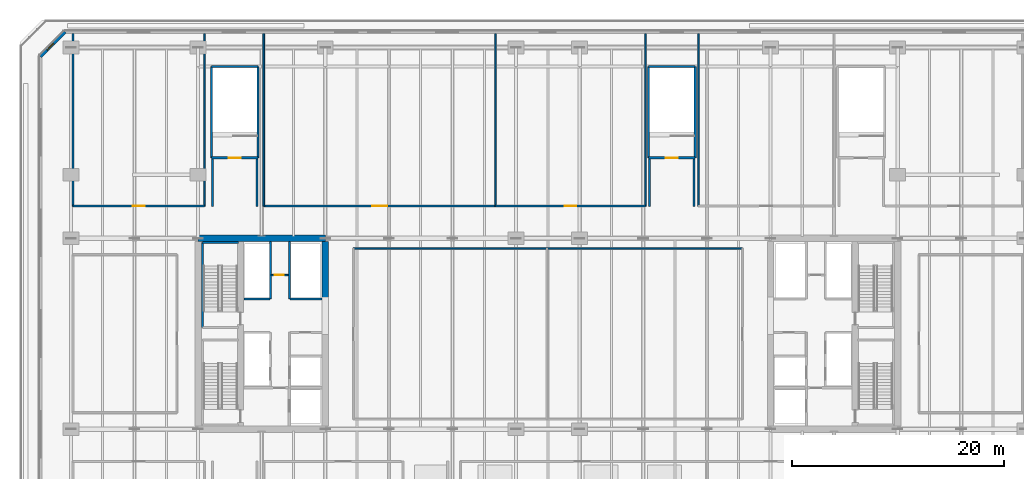
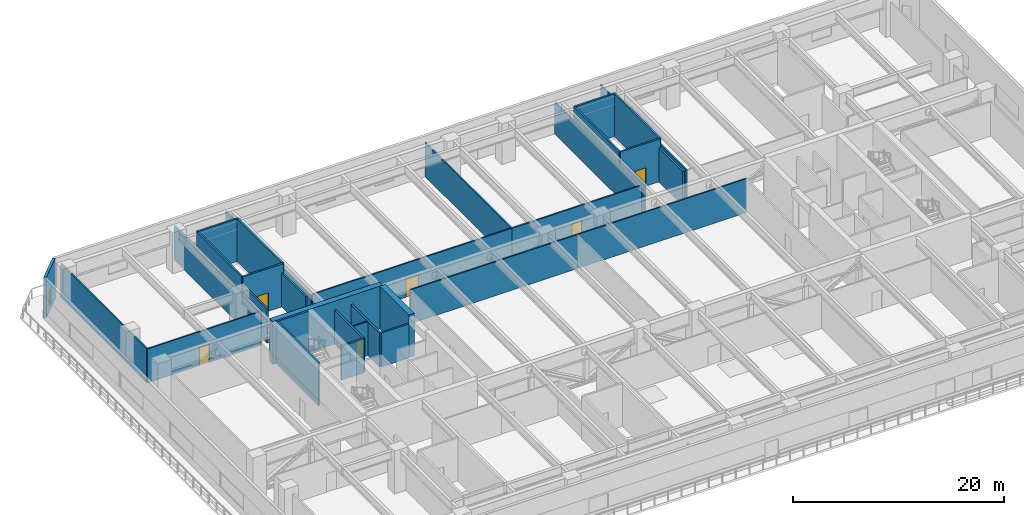
# One storey, part 12 of 25: 33 walls, 6 doors, 1 window, 7 openings.
"""IFC4 building model written with IfcOpenShell, lengths in metres."""

from ifc_helpers import new_model, si_unit, direction, frame, frame_2d, origin, place, context, subcontext, project, spatial, rectangle, extrude, material, layer, layer_set, type_object, element, fill, save


model = new_model("IFC4")

# Units and contexts
model_context = context("Model", 3, precision=1e-05, world=origin(), true_north=direction((0.0, 1.0)))
body_context = subcontext(model_context, "Body", "Model", "MODEL_VIEW")
ifc_project = project(units=[si_unit("LENGTHUNIT", "METRE"), si_unit("AREAUNIT", "SQUARE_METRE"), si_unit("VOLUMEUNIT", "CUBIC_METRE"), si_unit("PLANEANGLEUNIT", "RADIAN"), si_unit("MASSUNIT", "GRAM", prefix="KILO")], contexts=[model_context])

# Site, building, storey
site_placement = place(None, origin())
site = spatial("IfcSite", under=ifc_project, at=site_placement, CompositionType="ELEMENT")
building_placement = place(site_placement, origin())
building = spatial("IfcBuilding", under=site, at=building_placement, Name="Tanjung Sevakor Pilgrim Tower", CompositionType="ELEMENT")
storey_placement = place(building_placement, frame((0.0, 0.0, 24.090087890625)))
storey = spatial("IfcBuildingStorey", under=building, at=storey_placement, Name="L06", CompositionType="ELEMENT", Elevation=24.090087890625)

# Walls
ifc_material_1 = material(Name="Concrete C60/75", Category="concrete")
ifc_layer_1 = layer(ifc_material_1, 0.60009765625)
ifc_layer_set_1 = layer_set([ifc_layer_1], Name="WALL-CW-600")
wall_type_1 = type_object("IfcWallType", Name="WALL-CW-600", PredefinedType="SHEAR", material=ifc_layer_set_1)
wall_1_placement = place(storey_placement, frame((36.0, 42.60009765625, 0.0), z_axis=(0.0, 0.0, 1.0), x_axis=(-1.0, 0.0, 0.0)))
element("IfcWall", 1, at=wall_1_placement, inside=storey, type_object=wall_type_1, Name="L06 W Core North Shear Wall", PredefinedType="SHEAR", context=body_context, shape_type="SweptSolid", body=[
    extrude(rectangle(XDim=12.0, YDim=0.60009765625, at=frame_2d((6.0, 0.0))), origin(), (0.0, 0.0, 1.0), 4.949951171875),
])
wall_2_placement = place(storey_placement, frame((36.0, 36.800048828125, 0.0), z_axis=(0.0, 0.0, 1.0), x_axis=(0.0, 1.0, 0.0)))
element("IfcWall", 2, at=wall_2_placement, inside=storey, type_object=wall_type_1, Name="L06 W Core Inner Shear Wall North", PredefinedType="SHEAR", context=body_context, shape_type="SweptSolid", body=[
    extrude(rectangle(XDim=5.5, YDim=0.60009765625, at=frame_2d((2.75, 0.0))), origin(), (0.0, 0.0, 1.0), 4.949951171875),
])

# Wall, opening, door
ifc_material_2 = material(Name="Concrete C40/50", Category="concrete")
ifc_layer_2 = layer(ifc_material_2, 0.14990234375)
ifc_layer_set_2 = layer_set([ifc_layer_2], Name="WT-COMP-150")
wall_type_2 = type_object("IfcWallType", Name="WT-COMP-150", PredefinedType="SOLIDWALL", material=ifc_layer_set_2)
wall_3_placement = place(storey_placement, frame((30.89990234375, 39.1298828125, 0.0), z_axis=(0.0, 0.0, 1.0), x_axis=(1.0, 0.0, 0.0)))
wall_3 = element("IfcWall", 3, at=wall_3_placement, inside=storey, type_object=wall_type_2, Name="L06 Partition IW-L06-003", PredefinedType="SOLIDWALL", context=body_context, shape_type="SweptSolid", body=[
    extrude(rectangle(XDim=1.60009765625, YDim=0.14990234375, at=frame_2d((0.800048828125, 0.0))), origin(), (0.0, 0.0, 1.0), 3.929931640625),
])
opening_1_placement = place(wall_3_placement, frame((0.35009765625, 0.0, 0.0)))
opening_1 = element("IfcOpeningElement", 4, at=opening_1_placement, cuts=wall_3, Name="Opening ID-FD3", PredefinedType="OPENING", context=body_context, shape_type="SweptSolid", body=[
    extrude(rectangle(XDim=0.85009765625, YDim=2.10009765625, at=frame_2d((0.425048828125, 1.050048828125))), frame((0.0, 0.0849609375, 0.0), z_axis=(0.0, -1.0, 0.0), x_axis=(1.0, 0.0, 0.0)), (0.0, 0.0, 1.0), 0.169921875),
])
ifc_material_3 = material(Name="Fire-Rated Timber", Category="wood")
door_type_1 = type_object("IfcDoorType", Name="DT-FIRE-850", OperationType="NOTDEFINED", PredefinedType="DOOR", material=ifc_material_3)
door_1_placement = place(opening_1_placement, origin())
door_1 = element("IfcDoor", 5, at=door_1_placement, inside=storey, type_object=door_type_1, Name="L06 North Core Store Door", OperationType="SINGLE_SWING_RIGHT", OverallHeight=2.10009765625, OverallWidth=0.85009765625, PredefinedType="DOOR", context=body_context, shape_type="SweptSolid", body=[
    extrude(rectangle(XDim=0.85009765625, YDim=2.10009765625, at=frame_2d((0.425048828125, 1.050048828125))), frame((0.0, 0.02490234375, 0.0), z_axis=(0.0, -1.0, 0.0), x_axis=(1.0, 0.0, 0.0)), (0.0, 0.0, 1.0), 0.050048828125),
])
fill(opening_1, door_1)

wall_4_placement = place(storey_placement, frame((30.199951171875, 45.64990234375, 0.0), z_axis=(0.0, 0.0, 1.0), x_axis=(1.0, 0.0, 0.0)))
wall_4 = element("IfcWall", 6, at=wall_4_placement, inside=storey, type_object=wall_type_2, Name="L06 Partition IW-L06-046", PredefinedType="SOLIDWALL", context=body_context, shape_type="SweptSolid", body=[
    extrude(rectangle(XDim=21.85009765625, YDim=0.14990234375, at=frame_2d((10.925048828125, 0.0))), origin(), (0.0, 0.0, 1.0), 3.929931640625),
])
opening_2_placement = place(wall_4_placement, frame((10.22509765625, 0.0, 0.0)))
opening_2 = element("IfcOpeningElement", 7, at=opening_2_placement, cuts=wall_4, Name="Opening ID-HD1", PredefinedType="OPENING", context=body_context, shape_type="SweptSolid", body=[
    extrude(rectangle(XDim=1.39990234375, YDim=2.14990234375, at=frame_2d((0.699951171875, 1.074951171875))), frame((0.0, 0.0849609375, 0.0), z_axis=(0.0, -1.0, 0.0), x_axis=(1.0, 0.0, 0.0)), (0.0, 0.0, 1.0), 0.169921875),
])
ifc_material_4 = material(Name="Hardwood Timber", Category="wood")
door_type_2 = type_object("IfcDoorType", Name="DT-INT-1400", OperationType="DOUBLE_DOOR_SINGLE_SWING", PredefinedType="DOOR", material=ifc_material_4)
door_2_placement = place(opening_2_placement, origin())
door_2 = element("IfcDoor", 8, at=door_2_placement, inside=storey, type_object=door_type_2, Name="L06 Reading Room Door", OperationType="SINGLE_SWING_LEFT", OverallHeight=2.14990234375, OverallWidth=1.39990234375, PredefinedType="DOOR", context=body_context, shape_type="SweptSolid", body=[
    extrude(rectangle(XDim=1.39990234375, YDim=2.14990234375, at=frame_2d((0.699951171875, 1.074951171875))), frame((0.0, 0.02490234375, 0.0), z_axis=(0.0, -1.0, 0.0), x_axis=(1.0, 0.0, 0.0)), (0.0, 0.0, 1.0), 0.050048828125),
])
fill(opening_2, door_2)

# Walls
wall_5_placement = place(storey_placement, frame((30.199951171875, 45.64990234375, 0.0), z_axis=(0.0, 0.0, 1.0), x_axis=(0.0, 1.0, 0.0)))
element("IfcWall", 9, at=wall_5_placement, inside=storey, type_object=wall_type_2, Name="L06 Partition IW-L06-047", PredefinedType="SOLIDWALL", context=body_context, shape_type="SweptSolid", body=[
    extrude(rectangle(XDim=16.27001953125, YDim=0.14990234375, at=frame_2d((8.135009765625, 0.0))), origin(), (0.0, 0.0, 1.0), 3.68701171875),
])
wall_6_placement = place(storey_placement, frame((52.050048828125, 45.64990234375, 0.0), z_axis=(0.0, 0.0, 1.0), x_axis=(0.0, 1.0, 0.0)))
element("IfcWall", 10, at=wall_6_placement, inside=storey, type_object=wall_type_2, Name="L06 Partition IW-L06-048", PredefinedType="SOLIDWALL", context=body_context, shape_type="SweptSolid", body=[
    extrude(rectangle(XDim=16.27001953125, YDim=0.14990234375, at=frame_2d((8.135009765625, 0.0))), origin(), (0.0, 0.0, 1.0), 3.929931640625),
])

# Wall, opening, door
wall_7_placement = place(storey_placement, frame((52.050048828125, 45.64990234375, 0.0), z_axis=(0.0, 0.0, 1.0), x_axis=(1.0, 0.0, 0.0)))
wall_7 = element("IfcWall", 11, at=wall_7_placement, inside=storey, type_object=wall_type_2, Name="L06 Partition IW-L06-049", PredefinedType="SOLIDWALL", context=body_context, shape_type="SweptSolid", body=[
    extrude(rectangle(XDim=14.14990234375, YDim=0.14990234375, at=frame_2d((7.074951171875, 0.0))), origin(), (0.0, 0.0, 1.0), 3.929931640625),
])
opening_3_placement = place(wall_7_placement, frame((6.52490234375, 0.0, 0.0)))
opening_3 = element("IfcOpeningElement", 12, at=opening_3_placement, cuts=wall_7, Name="Opening ID-RM2", PredefinedType="OPENING", context=body_context, shape_type="SweptSolid", body=[
    extrude(rectangle(XDim=1.10009765625, YDim=2.14990234375, at=frame_2d((0.550048828125, 1.074951171875))), frame((0.0, 0.0849609375, 0.0), z_axis=(0.0, -1.0, 0.0), x_axis=(1.0, 0.0, 0.0)), (0.0, 0.0, 1.0), 0.169921875),
])
ifc_material_5 = material(Name="Hardwood Timber", Category="wood")
door_type_3 = type_object("IfcDoorType", Name="DT-INT-1100", OperationType="NOTDEFINED", PredefinedType="DOOR", material=ifc_material_5)
door_3_placement = place(opening_3_placement, origin())
door_3 = element("IfcDoor", 13, at=door_3_placement, inside=storey, type_object=door_type_3, Name="L06 Seminar Door", OperationType="SINGLE_SWING_RIGHT", OverallHeight=2.14990234375, OverallWidth=1.10009765625, PredefinedType="DOOR", context=body_context, shape_type="SweptSolid", body=[
    extrude(rectangle(XDim=1.10009765625, YDim=2.14990234375, at=frame_2d((0.550048828125, 1.074951171875))), frame((0.0, 0.02490234375, 0.0), z_axis=(0.0, -1.0, 0.0), x_axis=(1.0, 0.0, 0.0)), (0.0, 0.0, 1.0), 0.050048828125),
])
fill(opening_3, door_3)

# Walls
wall_8_placement = place(storey_placement, frame((66.199951171875, 45.64990234375, 0.0), z_axis=(0.0, 0.0, 1.0), x_axis=(0.0, 1.0, 0.0)))
element("IfcWall", 14, at=wall_8_placement, inside=storey, type_object=wall_type_2, Name="L06 Partition IW-L06-050", PredefinedType="SOLIDWALL", context=body_context, shape_type="SweptSolid", body=[
    extrude(rectangle(XDim=16.27001953125, YDim=0.14990234375, at=frame_2d((8.135009765625, 0.0))), origin(), (0.0, 0.0, 1.0), 3.68701171875),
])
wall_9_placement = place(storey_placement, frame((71.199951171875, 45.64990234375, 0.0), z_axis=(0.0, 0.0, 1.0), x_axis=(0.0, 1.0, 0.0)))
element("IfcWall", 15, at=wall_9_placement, inside=storey, type_object=wall_type_2, Name="L06 Partition IW-L06-052", PredefinedType="SOLIDWALL", context=body_context, shape_type="SweptSolid", body=[
    extrude(rectangle(XDim=16.27001953125, YDim=0.14990234375, at=frame_2d((8.135009765625, 0.0))), origin(), (0.0, 0.0, 1.0), 3.929931640625),
])
wall_10_placement = place(storey_placement, frame((38.64990234375, 41.64990234375, 0.0), z_axis=(0.0, 0.0, 1.0), x_axis=(1.0, 0.0, 0.0)))
element("IfcWall", 16, at=wall_10_placement, inside=storey, type_object=wall_type_2, Name="L06 Partition IW-L06-055", PredefinedType="SOLIDWALL", context=body_context, shape_type="SweptSolid", body=[
    extrude(rectangle(XDim=18.25, YDim=0.14990234375, at=frame_2d((9.125, 0.0))), origin(), (0.0, 0.0, 1.0), 3.929931640625),
])
wall_11_placement = place(storey_placement, frame((56.89990234375, 41.64990234375, 0.0), z_axis=(0.0, 0.0, 1.0), x_axis=(1.0, 0.0, 0.0)))
element("IfcWall", 17, at=wall_11_placement, inside=storey, type_object=wall_type_2, Name="L06 Partition IW-L06-059", PredefinedType="SOLIDWALL", context=body_context, shape_type="SweptSolid", body=[
    extrude(rectangle(XDim=18.4501953125, YDim=0.14990234375, at=frame_2d((9.22509765625, 0.0))), origin(), (0.0, 0.0, 1.0), 3.929931640625),
])

# Wall, opening, door
wall_12_placement = place(storey_placement, frame((12.199951171875, 45.64990234375, 0.0), z_axis=(0.0, 0.0, 1.0), x_axis=(1.0, 0.0, 0.0)))
wall_12 = element("IfcWall", 18, at=wall_12_placement, inside=storey, type_object=wall_type_2, Name="L06 Partition IW-L06-074", PredefinedType="SOLIDWALL", context=body_context, shape_type="SweptSolid", body=[
    extrude(rectangle(XDim=12.400146484375, YDim=0.14990234375, at=frame_2d((6.2001953125, 0.0))), origin(), (0.0, 0.0, 1.0), 3.929931640625),
])
opening_4_placement = place(wall_12_placement, frame((5.64990234375, 0.0, 0.0)))
opening_4 = element("IfcOpeningElement", 19, at=opening_4_placement, cuts=wall_12, Name="Opening ID-RM2", PredefinedType="OPENING", context=body_context, shape_type="SweptSolid", body=[
    extrude(rectangle(XDim=1.10009765625, YDim=2.14990234375, at=frame_2d((0.550048828125, 1.074951171875))), frame((0.0, 0.0849609375, 0.0), z_axis=(0.0, -1.0, 0.0), x_axis=(1.0, 0.0, 0.0)), (0.0, 0.0, 1.0), 0.169921875),
])
door_4_placement = place(opening_4_placement, origin())
door_4 = element("IfcDoor", 20, at=door_4_placement, inside=storey, type_object=door_type_3, Name="L06 NW Suite Door", OperationType="SINGLE_SWING_RIGHT", OverallHeight=2.14990234375, OverallWidth=1.10009765625, PredefinedType="DOOR", context=body_context, shape_type="SweptSolid", body=[
    extrude(rectangle(XDim=1.10009765625, YDim=2.14990234375, at=frame_2d((0.550048828125, 1.074951171875))), frame((0.0, 0.02490234375, 0.0), z_axis=(0.0, -1.0, 0.0), x_axis=(1.0, 0.0, 0.0)), (0.0, 0.0, 1.0), 0.050048828125),
])
fill(opening_4, door_4)

# Walls
for number, where, z_axis, x_axis, name in (
    (21, (12.199951171875, 45.64990234375, 0.0), (0.0, 0.0, 1.0), (0.0, 1.0, 0.0), "L06 Partition IW-L06-075"),
    (22, (24.60009765625, 45.64990234375, 0.0), (0.0, 0.0, 1.0), (0.0, 1.0, 0.0), "L06 Partition IW-L06-076"),
):
    element("IfcWall", number, at=place(storey_placement, frame(where, z_axis=z_axis, x_axis=x_axis)), inside=storey, type_object=wall_type_2, Name=name, PredefinedType="SOLIDWALL", context=body_context, shape_type="SweptSolid", body=[
        extrude(rectangle(XDim=16.27001953125, YDim=0.14990234375, at=frame_2d((8.135009765625, 0.0))), origin(), (0.0, 0.0, 1.0), 3.929931640625),
    ])

# Wall, opening, window
ifc_material_6 = material(Name="Precast concrete C45/55", Category="concrete")
ifc_layer_3 = layer(ifc_material_6, 0.280029296875)
ifc_layer_set_3 = layer_set([ifc_layer_3], Name="WT-EW-STN2")
wall_type_3 = type_object("IfcWallType", Name="WT-EW-STN2", PredefinedType="SOLIDWALL", material=ifc_layer_set_3)
wall_13_placement = place(storey_placement, frame((11.4580078125, 62.06005859375, 0.0), z_axis=(0.0, 0.0, 1.0), x_axis=(-0.707106781187, -0.707106781187, 0.0)))
wall_13 = element("IfcWall", 23, at=wall_13_placement, inside=storey, type_object=wall_type_3, Name="L06 MAIN Exterior Wall 6", PredefinedType="SOLIDWALL", context=body_context, shape_type="SweptSolid", body=[
    extrude(rectangle(XDim=3.2783203125, YDim=0.280029296875, at=frame_2d((1.63916015625, 0.0))), origin(), (0.0, 0.0, 1.0), 4.7099609375),
])
opening_5_placement = place(wall_13_placement, frame((1.5341796875, 0.0, 0.780029296875)))
opening_5 = element("IfcOpeningElement", 24, at=opening_5_placement, cuts=wall_13, Name="Opening WN-SLM", PredefinedType="OPENING", context=body_context, shape_type="SweptSolid", body=[
    extrude(rectangle(XDim=0.85009765625, YDim=1.64990234375, at=frame_2d((0.425048828125, 0.824951171875))), frame((0.0, 0.14990234375, 0.0), z_axis=(0.0, -1.0, 0.0), x_axis=(1.0, 0.0, 0.0)), (0.0, 0.0, 1.0), 0.300048828125),
])
ifc_material_7 = material(Name="Thermally Broken Aluminium and Low-E Glass", Category="aluminium")
window_type = type_object("IfcWindowType", Name="WTYP-WN-SLM", PartitioningType="SINGLE_PANEL", PredefinedType="WINDOW", material=ifc_material_7)
window_placement = place(opening_5_placement, origin())
window = element("IfcWindow", 25, at=window_placement, inside=storey, type_object=window_type, Name="L06 Facade Window 01", OverallHeight=1.64990234375, OverallWidth=0.85009765625, PartitioningType="SINGLE_PANEL", PredefinedType="WINDOW", context=body_context, shape_type="SweptSolid", body=[
    extrude(rectangle(XDim=0.85009765625, YDim=1.64990234375, at=frame_2d((0.425048828125, 0.824951171875))), frame((0.0, 0.030029296875, 0.0), z_axis=(0.0, -1.0, 0.0), x_axis=(1.0, 0.0, 0.0)), (0.0, 0.0, 1.0), 0.06005859375),
])
fill(opening_5, window)

# Walls
ifc_material_8 = material(Name="Concrete C40/50", Category="concrete")
ifc_layer_4 = layer(ifc_material_8, 0.199951171875)
ifc_layer_set_4 = layer_set([ifc_layer_4], Name="WT-FIRE-200")
wall_type_4 = type_object("IfcWallType", Name="WT-FIRE-200", PredefinedType="SOLIDWALL", material=ifc_layer_set_4)
wall_14_placement = place(storey_placement, frame((27.800048828125, 42.199951171875, 0.0), z_axis=(0.0, 0.0, 1.0), x_axis=(-1.0, 0.0, 0.0)))
element("IfcWall", 26, at=wall_14_placement, inside=storey, type_object=wall_type_4, Name="L06 TS-W2 Shaft Wall 2", PredefinedType="SOLIDWALL", context=body_context, shape_type="SweptSolid", body=[
    extrude(rectangle(XDim=3.400146484375, YDim=0.199951171875, at=frame_2d((1.7001953125, 0.0))), origin(), (0.0, 0.0, 1.0), 4.949951171875),
])
wall_15_placement = place(storey_placement, frame((24.39990234375, 42.199951171875, 0.0), z_axis=(0.0, 0.0, 1.0), x_axis=(0.0, -1.0, 0.0)))
element("IfcWall", 27, at=wall_15_placement, inside=storey, type_object=wall_type_4, Name="L06 TS-W2 Shaft Wall 3", PredefinedType="SOLIDWALL", context=body_context, shape_type="SweptSolid", body=[
    extrude(rectangle(XDim=8.0, YDim=0.199951171875, at=frame_2d((4.0, 0.0))), origin(), (0.0, 0.0, 1.0), 4.949951171875),
])

# Wall, opening, door
wall_16_placement = place(storey_placement, frame((25.25, 50.199951171875, 0.0), z_axis=(0.0, 0.0, 1.0), x_axis=(1.0, 0.0, 0.0)))
wall_16 = element("IfcWall", 28, at=wall_16_placement, inside=storey, type_object=wall_type_4, Name="L06 PS-2 Shaft Wall 1", PredefinedType="SOLIDWALL", context=body_context, shape_type="SweptSolid", body=[
    extrude(rectangle(XDim=4.39990234375, YDim=0.199951171875, at=frame_2d((2.199951171875, 0.0))), origin(), (0.0, 0.0, 1.0), 4.949951171875),
])
opening_6_placement = place(wall_16_placement, frame((1.625, 0.0, 0.0)))
opening_6 = element("IfcOpeningElement", 29, at=opening_6_placement, cuts=wall_16, Name="Opening ID-ST1", PredefinedType="OPENING", context=body_context, shape_type="SweptSolid", body=[
    extrude(rectangle(XDim=1.14990234375, YDim=2.14990234375, at=frame_2d((0.574951171875, 1.074951171875))), frame((0.0, 0.10986328125, 0.0), z_axis=(0.0, -1.0, 0.0), x_axis=(1.0, 0.0, 0.0)), (0.0, 0.0, 1.0), 0.219970703125),
])
ifc_material_9 = material(Name="Fire-Rated Steel S355J2", Category="steel")
door_type_4 = type_object("IfcDoorType", Name="DT-FIRE-1150", OperationType="NOTDEFINED", PredefinedType="DOOR", material=ifc_material_9)
door_5_placement = place(opening_6_placement, origin())
door_5 = element("IfcDoor", 30, at=door_5_placement, inside=storey, type_object=door_type_4, Name="L06 PS-2 Stair Entry Fire Door", OperationType="SINGLE_SWING_LEFT", OverallHeight=2.14990234375, OverallWidth=1.14990234375, PredefinedType="DOOR", context=body_context, shape_type="SweptSolid", body=[
    extrude(rectangle(XDim=1.14990234375, YDim=2.14990234375, at=frame_2d((0.574951171875, 1.074951171875))), frame((0.0, 0.02490234375, 0.0), z_axis=(0.0, -1.0, 0.0), x_axis=(1.0, 0.0, 0.0)), (0.0, 0.0, 1.0), 0.050048828125),
])
fill(opening_6, door_5)

# Walls
wall_17_placement = place(storey_placement, frame((29.64990234375, 50.199951171875, 0.0), z_axis=(0.0, 0.0, 1.0), x_axis=(0.0, 1.0, 0.0)))
element("IfcWall", 31, at=wall_17_placement, inside=storey, type_object=wall_type_4, Name="L06 PS-2 Shaft Wall 2", PredefinedType="SOLIDWALL", context=body_context, shape_type="SweptSolid", body=[
    extrude(rectangle(XDim=8.60009765625, YDim=0.199951171875, at=frame_2d((4.300048828125, 0.0))), origin(), (0.0, 0.0, 1.0), 4.949951171875),
])
wall_18_placement = place(storey_placement, frame((29.64990234375, 58.800048828125, 0.0), z_axis=(0.0, 0.0, 1.0), x_axis=(-1.0, 0.0, 0.0)))
element("IfcWall", 32, at=wall_18_placement, inside=storey, type_object=wall_type_4, Name="L06 PS-2 Shaft Wall 3", PredefinedType="SOLIDWALL", context=body_context, shape_type="SweptSolid", body=[
    extrude(rectangle(XDim=4.39990234375, YDim=0.199951171875, at=frame_2d((2.199951171875, 0.0))), origin(), (0.0, 0.0, 1.0), 4.949951171875),
])
wall_19_placement = place(storey_placement, frame((25.25, 58.800048828125, 0.0), z_axis=(0.0, 0.0, 1.0), x_axis=(0.0, -1.0, 0.0)))
element("IfcWall", 33, at=wall_19_placement, inside=storey, type_object=wall_type_4, Name="L06 PS-2 Shaft Wall 4", PredefinedType="SOLIDWALL", context=body_context, shape_type="SweptSolid", body=[
    extrude(rectangle(XDim=8.60009765625, YDim=0.199951171875, at=frame_2d((4.300048828125, 0.0))), origin(), (0.0, 0.0, 1.0), 4.949951171875),
])

# Wall, opening, door
wall_20_placement = place(storey_placement, frame((66.5, 50.199951171875, 0.0), z_axis=(0.0, 0.0, 1.0), x_axis=(1.0, 0.0, 0.0)))
wall_20 = element("IfcWall", 34, at=wall_20_placement, inside=storey, type_object=wall_type_4, Name="L06 PS-4 Shaft Wall 1", PredefinedType="SOLIDWALL", context=body_context, shape_type="SweptSolid", body=[
    extrude(rectangle(XDim=4.39990234375, YDim=0.199951171875, at=frame_2d((2.199951171875, 0.0))), origin(), (0.0, 0.0, 1.0), 4.949951171875),
])
opening_7_placement = place(wall_20_placement, frame((1.625, 0.0, 0.0)))
opening_7 = element("IfcOpeningElement", 35, at=opening_7_placement, cuts=wall_20, Name="Opening ID-ST1", PredefinedType="OPENING", context=body_context, shape_type="SweptSolid", body=[
    extrude(rectangle(XDim=1.14990234375, YDim=2.14990234375, at=frame_2d((0.574951171875, 1.074951171875))), frame((0.0, 0.10986328125, 0.0), z_axis=(0.0, -1.0, 0.0), x_axis=(1.0, 0.0, 0.0)), (0.0, 0.0, 1.0), 0.219970703125),
])
door_6_placement = place(opening_7_placement, origin())
door_6 = element("IfcDoor", 36, at=door_6_placement, inside=storey, type_object=door_type_4, Name="L06 PS-4 Stair Entry Fire Door", OperationType="SINGLE_SWING_LEFT", OverallHeight=2.14990234375, OverallWidth=1.14990234375, PredefinedType="DOOR", context=body_context, shape_type="SweptSolid", body=[
    extrude(rectangle(XDim=1.14990234375, YDim=2.14990234375, at=frame_2d((0.574951171875, 1.074951171875))), frame((0.0, 0.02490234375, 0.0), z_axis=(0.0, -1.0, 0.0), x_axis=(1.0, 0.0, 0.0)), (0.0, 0.0, 1.0), 0.050048828125),
])
fill(opening_7, door_6)

# Walls
wall_21_placement = place(storey_placement, frame((70.89990234375, 50.199951171875, 0.0), z_axis=(0.0, 0.0, 1.0), x_axis=(0.0, 1.0, 0.0)))
element("IfcWall", 37, at=wall_21_placement, inside=storey, type_object=wall_type_4, Name="L06 PS-4 Shaft Wall 2", PredefinedType="SOLIDWALL", context=body_context, shape_type="SweptSolid", body=[
    extrude(rectangle(XDim=8.60009765625, YDim=0.199951171875, at=frame_2d((4.300048828125, 0.0))), origin(), (0.0, 0.0, 1.0), 4.949951171875),
])
wall_22_placement = place(storey_placement, frame((70.89990234375, 58.800048828125, 0.0), z_axis=(0.0, 0.0, 1.0), x_axis=(-1.0, 0.0, 0.0)))
element("IfcWall", 38, at=wall_22_placement, inside=storey, type_object=wall_type_4, Name="L06 PS-4 Shaft Wall 3", PredefinedType="SOLIDWALL", context=body_context, shape_type="SweptSolid", body=[
    extrude(rectangle(XDim=4.39990234375, YDim=0.199951171875, at=frame_2d((2.199951171875, 0.0))), origin(), (0.0, 0.0, 1.0), 4.949951171875),
])
wall_23_placement = place(storey_placement, frame((66.5, 58.800048828125, 0.0), z_axis=(0.0, 0.0, 1.0), x_axis=(0.0, -1.0, 0.0)))
element("IfcWall", 39, at=wall_23_placement, inside=storey, type_object=wall_type_4, Name="L06 PS-4 Shaft Wall 4", PredefinedType="SOLIDWALL", context=body_context, shape_type="SweptSolid", body=[
    extrude(rectangle(XDim=8.60009765625, YDim=0.199951171875, at=frame_2d((4.300048828125, 0.0))), origin(), (0.0, 0.0, 1.0), 4.949951171875),
])
ifc_material_10 = material(Name="Concrete C40/50", Category="concrete")
ifc_layer_5 = layer(ifc_material_10, 0.199951171875)
ifc_layer_set_5 = layer_set([ifc_layer_5], Name="WT-FPRT-200")
wall_type_5 = type_object("IfcWallType", Name="WT-FPRT-200", PredefinedType="SOLIDWALL", material=ifc_layer_set_5)
wall_24_placement = place(storey_placement, frame((28.320068359375, 36.8798828125, 0.0), z_axis=(0.0, 0.0, 1.0), x_axis=(1.0, 0.0, 0.0)))
element("IfcWall", 40, at=wall_24_placement, inside=storey, type_object=wall_type_5, Name="L06 Partition IW-L06-010", PredefinedType="SOLIDWALL", context=body_context, shape_type="SweptSolid", body=[
    extrude(rectangle(XDim=2.47998046875, YDim=0.199951171875, at=frame_2d((1.239990234375, 0.0))), origin(), (0.0, 0.0, 1.0), 3.929931640625),
])
wall_25_placement = place(storey_placement, frame((30.820068359375, 36.8798828125, 0.0), z_axis=(0.0, 0.0, 1.0), x_axis=(0.0, 1.0, 0.0)))
element("IfcWall", 41, at=wall_25_placement, inside=storey, type_object=wall_type_5, Name="L06 Partition IW-L06-011", PredefinedType="SOLIDWALL", context=body_context, shape_type="SweptSolid", body=[
    extrude(rectangle(XDim=5.420166015625, YDim=0.199951171875, at=frame_2d((2.7099609375, 0.0))), origin(), (0.0, 0.0, 1.0), 3.929931640625),
])
wall_26_placement = place(storey_placement, frame((32.679931640625, 36.8798828125, 0.0), z_axis=(0.0, 0.0, 1.0), x_axis=(1.0, 0.0, 0.0)))
element("IfcWall", 42, at=wall_26_placement, inside=storey, type_object=wall_type_5, Name="L06 Partition IW-L06-012", PredefinedType="SOLIDWALL", context=body_context, shape_type="SweptSolid", body=[
    extrude(rectangle(XDim=3.0, YDim=0.199951171875, at=frame_2d((1.5, 0.0))), origin(), (0.0, 0.0, 1.0), 3.929931640625),
])
wall_27_placement = place(storey_placement, frame((32.6201171875, 36.8798828125, 0.0), z_axis=(0.0, 0.0, 1.0), x_axis=(0.0, 1.0, 0.0)))
element("IfcWall", 43, at=wall_27_placement, inside=storey, type_object=wall_type_5, Name="L06 Partition IW-L06-013", PredefinedType="SOLIDWALL", context=body_context, shape_type="SweptSolid", body=[
    extrude(rectangle(XDim=5.420166015625, YDim=0.199951171875, at=frame_2d((2.7099609375, 0.0))), origin(), (0.0, 0.0, 1.0), 3.929931640625),
])
for number, where, z_axis, x_axis, name in (
    (44, (25.35009765625, 45.60009765625, 0.0), (0.0, 0.0, 1.0), (0.0, 1.0, 0.0), "L06 Partition IW-L06-033"),
    (45, (29.550048828125, 45.60009765625, 0.0), (0.0, 0.0, 1.0), (0.0, 1.0, 0.0), "L06 Partition IW-L06-034"),
    (46, (66.60009765625, 45.60009765625, 0.0), (0.0, 0.0, 1.0), (0.0, 1.0, 0.0), "L06 Partition IW-L06-035"),
    (47, (70.800048828125, 45.60009765625, 0.0), (0.0, 0.0, 1.0), (0.0, 1.0, 0.0), "L06 Partition IW-L06-036"),
):
    element("IfcWall", number, at=place(storey_placement, frame(where, z_axis=z_axis, x_axis=x_axis)), inside=storey, type_object=wall_type_5, Name=name, PredefinedType="SOLIDWALL", context=body_context, shape_type="SweptSolid", body=[
        extrude(rectangle(XDim=4.599853515625, YDim=0.199951171875, at=frame_2d((2.2998046875, 0.0))), origin(), (0.0, 0.0, 1.0), 3.929931640625),
    ])

save(model, "model.ifc")
